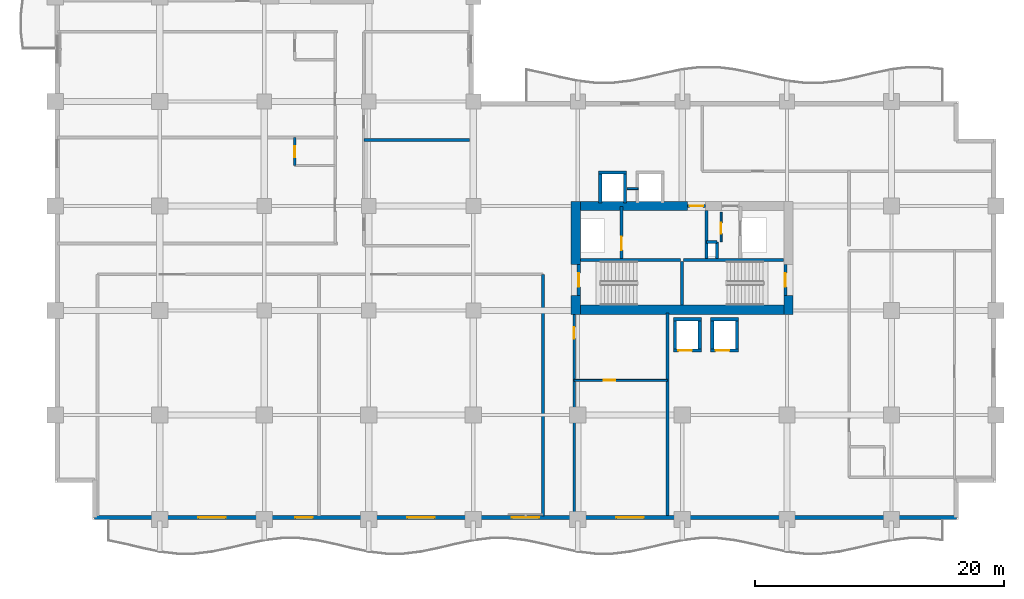
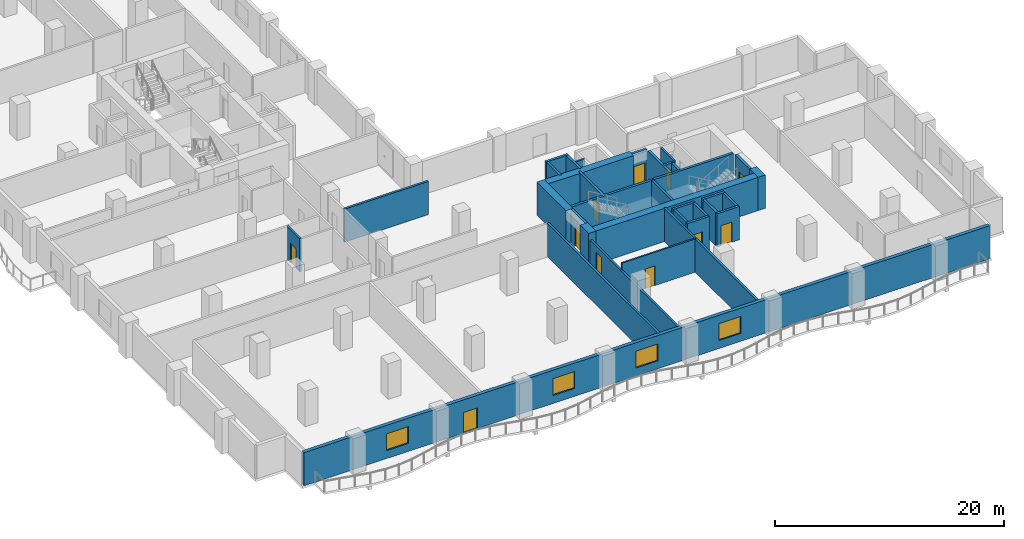
# One storey, part 4 of 15: 35 walls, 11 doors, 4 windows, 15 openings.
"""IFC4 building model written with IfcOpenShell, lengths in metres."""

from ifc_helpers import new_model, si_unit, direction, frame, frame_2d, origin, place, context, subcontext, project, spatial, rectangle, extrude, material, layer, layer_set, type_object, element, fill, save


model = new_model("IFC4")

# Units and contexts
model_context = context("Model", 3, precision=1e-05, world=origin(), true_north=direction((0.0, 1.0)))
body_context = subcontext(model_context, "Body", "Model", "MODEL_VIEW")
ifc_project = project(units=[si_unit("LENGTHUNIT", "METRE"), si_unit("AREAUNIT", "SQUARE_METRE"), si_unit("VOLUMEUNIT", "CUBIC_METRE"), si_unit("PLANEANGLEUNIT", "RADIAN"), si_unit("MASSUNIT", "GRAM", prefix="KILO")], contexts=[model_context])

# Site, building, storey
site_placement = place(None, origin())
site = spatial("IfcSite", under=ifc_project, at=site_placement, CompositionType="ELEMENT")
building_placement = place(site_placement, origin())
building = spatial("IfcBuilding", under=site, at=building_placement, Name="Koriwani Terraces Tower", CompositionType="ELEMENT")
storey_placement = place(building_placement, frame((0.0, 0.0, 138.0)))
storey = spatial("IfcBuildingStorey", under=building, at=storey_placement, Name="L33", CompositionType="ELEMENT", Elevation=138.0)

# Walls
ifc_material_1 = material(Name="Concrete C60/75", Category="concrete")
ifc_layer_1 = layer(ifc_material_1, 0.75, Name="Concrete C60/75")
ifc_layer_set_1 = layer_set([ifc_layer_1], Name="Concrete C60/75")
wall_type_1 = type_object("IfcWallType", Name="WALL_CORE_RC_750", PredefinedType="SHEAR", material=ifc_layer_set_1)
wall_1_placement = place(storey_placement, frame((41.824951171875, 16.5, 0.0), z_axis=(0.0, 0.0, 1.0), x_axis=(0.0, 1.0, 0.0)))
element("IfcWall", 1, at=wall_1_placement, inside=storey, type_object=wall_type_1, Name="L33 East Split Core Shear Wall W1", PredefinedType="SHEAR", context=body_context, shape_type="SweptSolid", body=[
    extrude(rectangle(XDim=1.5, YDim=0.75, at=frame_2d((0.75, 0.0))), origin(), (0.0, 0.0, 1.0), 3.550048828125),
])
wall_2_placement = place(storey_placement, frame((41.824951171875, 20.5, 0.0), z_axis=(0.0, 0.0, 1.0), x_axis=(0.0, 1.0, 0.0)))
element("IfcWall", 2, at=wall_2_placement, inside=storey, type_object=wall_type_1, Name="L33 East Split Core Shear Wall W2", PredefinedType="SHEAR", context=body_context, shape_type="SweptSolid", body=[
    extrude(rectangle(XDim=5.074951171875, YDim=0.75, at=frame_2d((2.53759765625, 0.0))), origin(), (0.0, 0.0, 1.0), 3.550048828125),
])
wall_3_placement = place(storey_placement, frame((58.925048828125, 16.5, 0.0), z_axis=(0.0, 0.0, 1.0), x_axis=(0.0, 1.0, 0.0)))
element("IfcWall", 3, at=wall_3_placement, inside=storey, type_object=wall_type_1, Name="L33 East Split Core Shear Wall E1", PredefinedType="SHEAR", context=body_context, shape_type="SweptSolid", body=[
    extrude(rectangle(XDim=1.5, YDim=0.75, at=frame_2d((0.75, 0.0))), origin(), (0.0, 0.0, 1.0), 3.550048828125),
])
wall_4_placement = place(storey_placement, frame((42.199951171875, 16.875, 0.0), z_axis=(0.0, 0.0, 1.0), x_axis=(1.0, 0.0, 0.0)))
element("IfcWall", 4, at=wall_4_placement, inside=storey, type_object=wall_type_1, Name="L33 East Split Core Shear Wall S1", PredefinedType="SHEAR", context=body_context, shape_type="SweptSolid", body=[
    extrude(rectangle(XDim=16.35009765625, YDim=0.75, at=frame_2d((8.175048828125, 0.0))), origin(), (0.0, 0.0, 1.0), 3.550048828125),
])
wall_5_placement = place(storey_placement, frame((42.199951171875, 25.199951171875, 0.0), z_axis=(0.0, 0.0, 1.0), x_axis=(1.0, 0.0, 0.0)))
element("IfcWall", 5, at=wall_5_placement, inside=storey, type_object=wall_type_1, Name="L33 East Split Core Shear Wall N1", PredefinedType="SHEAR", context=body_context, shape_type="SweptSolid", body=[
    extrude(rectangle(XDim=8.60009765625, YDim=0.75, at=frame_2d((4.300048828125, 0.0))), origin(), (0.0, 0.0, 1.0), 3.550048828125),
])

# Wall, opening, door
ifc_material_2 = material(Name="Autoclaved Cellular Concrete Blockwork", Category="masonry")
ifc_layer_2 = layer(ifc_material_2, 0.199951171875, Name="Autoclaved Cellular Concrete Blockwork")
ifc_layer_set_2 = layer_set([ifc_layer_2], Name="Autoclaved Cellular Concrete Blockwork")
wall_type_2 = type_object("IfcWallType", Name="WALL_CORRIDOR_200", PredefinedType="PARTITIONING", material=ifc_layer_set_2)
wall_6_placement = place(storey_placement, frame((41.699951171875, 0.35009765625, 0.0), z_axis=(0.0, 0.0, 1.0), x_axis=(0.0, 1.0, 0.0)))
wall_6 = element("IfcWall", 6, at=wall_6_placement, inside=storey, type_object=wall_type_2, Name="L33 Interior Wall WREC-EW-L33", PredefinedType="PARTITIONING", context=body_context, shape_type="SweptSolid", body=[
    extrude(rectangle(XDim=16.25, YDim=0.199951171875, at=frame_2d((8.125, 0.0))), origin(), (0.0, 0.0, 1.0), 2.800048828125),
])
opening_1_placement = place(wall_6_placement, frame((14.199951171875, 0.0, 0.0)))
opening_1 = element("IfcOpeningElement", 7, at=opening_1_placement, cuts=wall_6, Name="Opening D-06", PredefinedType="OPENING", context=body_context, shape_type="SweptSolid", body=[
    extrude(rectangle(XDim=0.919921875, YDim=2.10009765625, at=frame_2d((0.4599609375, 1.050048828125))), frame((0.0, 0.10986328125, 0.0), z_axis=(0.0, -1.0, 0.0), x_axis=(1.0, 0.0, 0.0)), (0.0, 0.0, 1.0), 0.219970703125),
])
ifc_material_3 = material(Name="Architectural Oak Fire Door", Category="wood")
door_type_1 = type_object("IfcDoorType", Name="DOOR_ROOM_INT_920X2100", OperationType="NOTDEFINED", PredefinedType="DOOR", material=ifc_material_3)
door_1_placement = place(opening_1_placement, origin())
door_1 = element("IfcDoor", 8, at=door_1_placement, inside=storey, type_object=door_type_1, Name="L33 Housekeeping and Linen Room Door", OperationType="SINGLE_SWING_LEFT", OverallHeight=2.10009765625, OverallWidth=0.919921875, PredefinedType="DOOR", context=body_context, shape_type="SweptSolid", body=[
    extrude(rectangle(XDim=0.919921875, YDim=2.10009765625, at=frame_2d((0.4599609375, 1.050048828125))), frame((0.0, 0.02490234375, 0.0), z_axis=(0.0, -1.0, 0.0), x_axis=(1.0, 0.0, 0.0)), (0.0, 0.0, 1.0), 0.050048828125),
])
fill(opening_1, door_1)

# Walls
ifc_layer_3 = layer(ifc_material_2, 0.219970703125, Name="Autoclaved Cellular Concrete Blockwork")
ifc_layer_set_3 = layer_set([ifc_layer_3], Name="Autoclaved Cellular Concrete Blockwork")
wall_type_3 = type_object("IfcWallType", Name="WALL_DEMISING_220", PredefinedType="PARTITIONING", material=ifc_layer_set_3)
wall_7_placement = place(storey_placement, frame((49.199951171875, 0.35009765625, 0.0), z_axis=(0.0, 0.0, 1.0), x_axis=(0.0, 1.0, 0.0)))
element("IfcWall", 9, at=wall_7_placement, inside=storey, type_object=wall_type_3, Name="L33 Interior Wall WREC-EE-L33", PredefinedType="PARTITIONING", context=body_context, shape_type="SweptSolid", body=[
    extrude(rectangle(XDim=16.25, YDim=0.219970703125, at=frame_2d((8.125, 0.0))), origin(), (0.0, 0.0, 1.0), 3.550048828125),
])
wall_8_placement = place(storey_placement, frame((24.800048828125, 30.5, 0.0), z_axis=(0.0, 0.0, 1.0), x_axis=(1.0, 0.0, 0.0)))
element("IfcWall", 10, at=wall_8_placement, inside=storey, type_object=wall_type_3, Name="L33 Interior Wall WIC2-M-L33", PredefinedType="PARTITIONING", context=body_context, shape_type="SweptSolid", body=[
    extrude(rectangle(XDim=8.5, YDim=0.219970703125, at=frame_2d((4.25, 0.0))), origin(), (0.0, 0.0, 1.0), 3.550048828125),
])
wall_9_placement = place(storey_placement, frame((39.199951171875, 0.300048828125, 0.0), z_axis=(0.0, 0.0, 1.0), x_axis=(0.0, 1.0, 0.0)))
element("IfcWall", 11, at=wall_9_placement, inside=storey, type_object=wall_type_3, Name="L33 Interior Wall WC2CFE-L33", PredefinedType="PARTITIONING", context=body_context, shape_type="SweptSolid", body=[
    extrude(rectangle(XDim=19.39990234375, YDim=0.219970703125, at=frame_2d((9.699951171875, 0.0))), origin(), (0.0, 0.0, 1.0), 3.550048828125),
])

# Wall, openings, door, windows
ifc_material_4 = material(Name="Concrete C50/60", Category="concrete")
ifc_layer_4 = layer(ifc_material_4, 0.35009765625, Name="Concrete C50/60")
ifc_layer_set_4 = layer_set([ifc_layer_4], Name="Concrete C50/60")
wall_type_4 = type_object("IfcWallType", Name="WALL_EXT_BRUTALIST_350", PredefinedType="STANDARD", material=ifc_layer_set_4)
wall_10_placement = place(storey_placement, frame((72.425048828125, 0.175048828125, 0.0), z_axis=(0.0, 0.0, 1.0), x_axis=(-1.0, 0.0, 0.0)))
wall_10 = element("IfcWall", 12, at=wall_10_placement, inside=storey, type_object=wall_type_4, Name="L33 Fair-Faced Brutalist Exterior Wall (S)", PredefinedType="STANDARD", context=body_context, shape_type="SweptSolid", body=[
    extrude(rectangle(XDim=69.25, YDim=0.35009765625, at=frame_2d((34.625, 0.0))), origin(), (0.0, 0.0, 1.0), 3.550048828125),
])
opening_2_placement = place(wall_10_placement, frame((51.72509765625, 0.0, 0.0)))
opening_2 = element("IfcOpeningElement", 13, at=opening_2_placement, cuts=wall_10, Name="Opening D-09", PredefinedType="OPENING", context=body_context, shape_type="SweptSolid", body=[
    extrude(rectangle(XDim=1.39990234375, YDim=2.199951171875, at=frame_2d((0.699951171875, 1.10009765625))), frame((0.0, 0.18505859375, 0.0), z_axis=(0.0, -1.0, 0.0), x_axis=(1.0, 0.0, 0.0)), (0.0, 0.0, 1.0), 0.3701171875),
])
opening_3_placement = place(wall_10_placement, frame((58.72509765625, 0.0, 0.85009765625)))
opening_3 = element("IfcOpeningElement", 14, at=opening_3_placement, cuts=wall_10, Name="Opening W-01", PredefinedType="OPENING", context=body_context, shape_type="SweptSolid", body=[
    extrude(rectangle(XDim=2.199951171875, YDim=1.800048828125, at=frame_2d((1.10009765625, 0.89990234375))), frame((0.0, 0.18505859375, 0.0), z_axis=(0.0, -1.0, 0.0), x_axis=(1.0, 0.0, 0.0)), (0.0, 0.0, 1.0), 0.3701171875),
])
opening_4_placement = place(wall_10_placement, frame((41.925048828125, 0.0, 0.85009765625)))
opening_4 = element("IfcOpeningElement", 15, at=opening_4_placement, cuts=wall_10, Name="Opening W-01", PredefinedType="OPENING", context=body_context, shape_type="SweptSolid", body=[
    extrude(rectangle(XDim=2.199951171875, YDim=1.800048828125, at=frame_2d((1.10009765625, 0.89990234375))), frame((0.0, 0.18505859375, 0.0), z_axis=(0.0, -1.0, 0.0), x_axis=(1.0, 0.0, 0.0)), (0.0, 0.0, 1.0), 0.3701171875),
])
opening_5_placement = place(wall_10_placement, frame((33.52490234375, 0.0, 0.85009765625)))
opening_5 = element("IfcOpeningElement", 16, at=opening_5_placement, cuts=wall_10, Name="Opening W-01", PredefinedType="OPENING", context=body_context, shape_type="SweptSolid", body=[
    extrude(rectangle(XDim=2.199951171875, YDim=1.800048828125, at=frame_2d((1.10009765625, 0.89990234375))), frame((0.0, 0.18505859375, 0.0), z_axis=(0.0, -1.0, 0.0), x_axis=(1.0, 0.0, 0.0)), (0.0, 0.0, 1.0), 0.3701171875),
])
opening_6_placement = place(wall_10_placement, frame((25.125, 0.0, 0.85009765625)))
opening_6 = element("IfcOpeningElement", 17, at=opening_6_placement, cuts=wall_10, Name="Opening W-01", PredefinedType="OPENING", context=body_context, shape_type="SweptSolid", body=[
    extrude(rectangle(XDim=2.199951171875, YDim=1.800048828125, at=frame_2d((1.10009765625, 0.89990234375))), frame((0.0, 0.18505859375, 0.0), z_axis=(0.0, -1.0, 0.0), x_axis=(1.0, 0.0, 0.0)), (0.0, 0.0, 1.0), 0.3701171875),
])
ifc_material_5 = material(Name="Anodised Bronze Aluminium", Category="aluminium")
door_type_2 = type_object("IfcDoorType", Name="DOOR_BALCONY_GLAZED_1400X2200", OperationType="NOTDEFINED", PredefinedType="DOOR", material=ifc_material_5)
door_2_placement = place(opening_2_placement, origin())
door_2 = element("IfcDoor", 18, at=door_2_placement, inside=storey, type_object=door_type_2, Name="L33 South Balcony Glazed Door", OperationType="SINGLE_SWING_LEFT", OverallHeight=2.199951171875, OverallWidth=1.39990234375, PredefinedType="DOOR", context=body_context, shape_type="SweptSolid", body=[
    extrude(rectangle(XDim=1.39990234375, YDim=2.199951171875, at=frame_2d((0.699951171875, 1.10009765625))), frame((0.0, 0.02490234375, 0.0), z_axis=(0.0, -1.0, 0.0), x_axis=(1.0, 0.0, 0.0)), (0.0, 0.0, 1.0), 0.050048828125),
])
fill(opening_2, door_2)
ifc_material_6 = material(Name="Tempered Laminated Low-E Glass", Category="glass")
window_type = type_object("IfcWindowType", Name="WIN_HOTEL_STD_2200X1800", PartitioningType="DOUBLE_PANEL_VERTICAL", PredefinedType="WINDOW", material=ifc_material_6)
window_1_placement = place(opening_3_placement, origin())
window_1 = element("IfcWindow", 19, at=window_1_placement, inside=storey, type_object=window_type, Name="L33 Exterior Window (S-3)", OverallHeight=1.800048828125, OverallWidth=2.199951171875, PartitioningType="SINGLE_PANEL", PredefinedType="WINDOW", context=body_context, shape_type="SweptSolid", body=[
    extrude(rectangle(XDim=2.199951171875, YDim=1.800048828125, at=frame_2d((1.10009765625, 0.89990234375))), frame((0.0, 0.030029296875, 0.0), z_axis=(0.0, -1.0, 0.0), x_axis=(1.0, 0.0, 0.0)), (0.0, 0.0, 1.0), 0.06005859375),
])
fill(opening_3, window_1)
window_2_placement = place(opening_4_placement, origin())
window_2 = element("IfcWindow", 20, at=window_2_placement, inside=storey, type_object=window_type, Name="L33 Exterior Window (S-9)", OverallHeight=1.800048828125, OverallWidth=2.199951171875, PartitioningType="SINGLE_PANEL", PredefinedType="WINDOW", context=body_context, shape_type="SweptSolid", body=[
    extrude(rectangle(XDim=2.199951171875, YDim=1.800048828125, at=frame_2d((1.10009765625, 0.89990234375))), frame((0.0, 0.030029296875, 0.0), z_axis=(0.0, -1.0, 0.0), x_axis=(1.0, 0.0, 0.0)), (0.0, 0.0, 1.0), 0.06005859375),
])
fill(opening_4, window_2)
window_3_placement = place(opening_5_placement, origin())
window_3 = element("IfcWindow", 21, at=window_3_placement, inside=storey, type_object=window_type, Name="L33 Exterior Window (S-12)", OverallHeight=1.800048828125, OverallWidth=2.199951171875, PartitioningType="SINGLE_PANEL", PredefinedType="WINDOW", context=body_context, shape_type="SweptSolid", body=[
    extrude(rectangle(XDim=2.199951171875, YDim=1.800048828125, at=frame_2d((1.10009765625, 0.89990234375))), frame((0.0, 0.030029296875, 0.0), z_axis=(0.0, -1.0, 0.0), x_axis=(1.0, 0.0, 0.0)), (0.0, 0.0, 1.0), 0.06005859375),
])
fill(opening_5, window_3)
window_4_placement = place(opening_6_placement, origin())
window_4 = element("IfcWindow", 22, at=window_4_placement, inside=storey, type_object=window_type, Name="L33 Exterior Window (S-15)", OverallHeight=1.800048828125, OverallWidth=2.199951171875, PartitioningType="SINGLE_PANEL", PredefinedType="WINDOW", context=body_context, shape_type="SweptSolid", body=[
    extrude(rectangle(XDim=2.199951171875, YDim=1.800048828125, at=frame_2d((1.10009765625, 0.89990234375))), frame((0.0, 0.030029296875, 0.0), z_axis=(0.0, -1.0, 0.0), x_axis=(1.0, 0.0, 0.0)), (0.0, 0.0, 1.0), 0.06005859375),
])
fill(opening_6, window_4)

# Wall, opening, door
ifc_material_7 = material(Name="Fire-Rated Acoustic Gypsum Partition", Category="masonry")
ifc_layer_5 = layer(ifc_material_7, 0.179931640625, Name="Fire-Rated Acoustic Gypsum Partition")
ifc_layer_set_5 = layer_set([ifc_layer_5], Name="Fire-Rated Acoustic Gypsum Partition")
wall_type_5 = type_object("IfcWallType", Name="WALL_PLUMBING_180", PredefinedType="PLUMBINGWALL", material=ifc_layer_set_5)
wall_11_placement = place(storey_placement, frame((19.25, 28.449951171875, 0.0), z_axis=(0.0, 0.0, 1.0), x_axis=(0.0, 1.0, 0.0)))
wall_11 = element("IfcWall", 23, at=wall_11_placement, inside=storey, type_object=wall_type_5, Name="L33 Interior Wall WBTH1-L33-NW-0", PredefinedType="PLUMBINGWALL", context=body_context, shape_type="SweptSolid", body=[
    extrude(rectangle(XDim=2.25, YDim=0.179931640625, at=frame_2d((1.125, 0.0))), origin(), (0.0, 0.0, 1.0), 3.550048828125),
])
opening_7_placement = place(wall_11_placement, frame((0.675048828125, 0.0, 0.0)))
opening_7 = element("IfcOpeningElement", 24, at=opening_7_placement, cuts=wall_11, Name="Opening D-07", PredefinedType="OPENING", context=body_context, shape_type="SweptSolid", body=[
    extrude(rectangle(XDim=0.89990234375, YDim=2.10009765625, at=frame_2d((0.449951171875, 1.050048828125))), frame((0.0, 0.10009765625, 0.0), z_axis=(0.0, -1.0, 0.0), x_axis=(1.0, 0.0, 0.0)), (0.0, 0.0, 1.0), 0.199951171875),
])
door_type_3 = type_object("IfcDoorType", Name="DOOR_BATH_INT_900X2100", OperationType="NOTDEFINED", PredefinedType="DOOR", material=ifc_material_3)
door_3_placement = place(opening_7_placement, origin())
door_3 = element("IfcDoor", 25, at=door_3_placement, inside=storey, type_object=door_type_3, Name="En-Suite Bathroom 33NW1 Door", OperationType="SINGLE_SWING_RIGHT", OverallHeight=2.10009765625, OverallWidth=0.89990234375, PredefinedType="DOOR", context=body_context, shape_type="SweptSolid", body=[
    extrude(rectangle(XDim=0.89990234375, YDim=2.10009765625, at=frame_2d((0.449951171875, 1.050048828125))), frame((0.0, 0.02490234375, 0.0), z_axis=(0.0, -1.0, 0.0), x_axis=(1.0, 0.0, 0.0)), (0.0, 0.0, 1.0), 0.050048828125),
])
fill(opening_7, door_3)

# Walls
ifc_material_8 = material(Name="Concrete C40/50", Category="concrete")
ifc_layer_6 = layer(ifc_material_8, 0.25, Name="Concrete C40/50")
ifc_layer_set_6 = layer_set([ifc_layer_6], Name="Concrete C40/50")
wall_type_6 = type_object("IfcWallType", Name="WALL_SHAFT_RATED_250", PredefinedType="SOLIDWALL", material=ifc_layer_set_6)
for number, where, z_axis, x_axis, name in (
    (26, (42.199951171875, 20.875, 0.0), (0.0, 0.0, 1.0), (1.0, 0.0, 0.0), "L33 East Split Core Web Wall MID1"),
    (27, (50.5, 20.875, 0.0), (0.0, 0.0, 1.0), (1.0, 0.0, 0.0), "L33 East Split Core Web Wall MID2"),
):
    element("IfcWall", number, at=place(storey_placement, frame(where, z_axis=z_axis, x_axis=x_axis)), inside=storey, type_object=wall_type_6, Name=name, PredefinedType="SOLIDWALL", context=body_context, shape_type="SweptSolid", body=[
        extrude(rectangle(XDim=8.050048828125, YDim=0.25, at=frame_2d((4.02490234375, 0.0))), origin(), (0.0, 0.0, 1.0), 3.550048828125),
    ])
wall_12_placement = place(storey_placement, frame((50.375, 17.25, 0.0), z_axis=(0.0, 0.0, 1.0), x_axis=(0.0, 1.0, 0.0)))
element("IfcWall", 28, at=wall_12_placement, inside=storey, type_object=wall_type_6, Name="L33 East Split Core Stair Dividing Wall", PredefinedType="SOLIDWALL", context=body_context, shape_type="SweptSolid", body=[
    extrude(rectangle(XDim=3.5, YDim=0.25, at=frame_2d((1.75, 0.0))), origin(), (0.0, 0.0, 1.0), 3.550048828125),
])

# Wall, opening, door
wall_13_placement = place(storey_placement, frame((42.074951171875, 18.0, 0.0), z_axis=(0.0, 0.0, 1.0), x_axis=(0.0, 1.0, 0.0)))
wall_13 = element("IfcWall", 29, at=wall_13_placement, inside=storey, type_object=wall_type_6, Name="L33 Interior Wall WIN-CE-L33-STW", PredefinedType="SOLIDWALL", context=body_context, shape_type="SweptSolid", body=[
    extrude(rectangle(XDim=2.5, YDim=0.25, at=frame_2d((1.25, 0.0))), origin(), (0.0, 0.0, 1.0), 3.550048828125),
])
opening_8_placement = place(wall_13_placement, frame((0.699951171875, 0.0, 0.0)))
opening_8 = element("IfcOpeningElement", 30, at=opening_8_placement, cuts=wall_13, Name="Opening D-03", PredefinedType="OPENING", context=body_context, shape_type="SweptSolid", body=[
    extrude(rectangle(XDim=1.10009765625, YDim=2.14990234375, at=frame_2d((0.550048828125, 1.074951171875))), frame((0.0, 0.135009765625, 0.0), z_axis=(0.0, -1.0, 0.0), x_axis=(1.0, 0.0, 0.0)), (0.0, 0.0, 1.0), 0.27001953125),
])
ifc_material_9 = material(Name="Steel ASTM A572 Grade 50", Category="steel")
door_type_4 = type_object("IfcDoorType", Name="DOOR_STAIR_FIRE_1100X2150", OperationType="NOTDEFINED", PredefinedType="DOOR", material=ifc_material_9)
door_4_placement = place(opening_8_placement, origin())
door_4 = element("IfcDoor", 31, at=door_4_placement, inside=storey, type_object=door_type_4, Name="L33 Exit Stair ST-E1 Door", OperationType="SINGLE_SWING_RIGHT", OverallHeight=2.14990234375, OverallWidth=1.10009765625, PredefinedType="DOOR", context=body_context, shape_type="SweptSolid", body=[
    extrude(rectangle(XDim=1.10009765625, YDim=2.14990234375, at=frame_2d((0.550048828125, 1.074951171875))), frame((0.0, 0.02490234375, 0.0), z_axis=(0.0, -1.0, 0.0), x_axis=(1.0, 0.0, 0.0)), (0.0, 0.0, 1.0), 0.050048828125),
])
fill(opening_8, door_4)

wall_14_placement = place(storey_placement, frame((58.675048828125, 18.0, 0.0), z_axis=(0.0, 0.0, 1.0), x_axis=(0.0, 1.0, 0.0)))
wall_14 = element("IfcWall", 32, at=wall_14_placement, inside=storey, type_object=wall_type_6, Name="L33 Interior Wall WIN-CE-L33-STE", PredefinedType="SOLIDWALL", context=body_context, shape_type="SweptSolid", body=[
    extrude(rectangle(XDim=2.5, YDim=0.25, at=frame_2d((1.25, 0.0))), origin(), (0.0, 0.0, 1.0), 3.550048828125),
])
opening_9_placement = place(wall_14_placement, frame((0.699951171875, 0.0, 0.0)))
opening_9 = element("IfcOpeningElement", 33, at=opening_9_placement, cuts=wall_14, Name="Opening D-03", PredefinedType="OPENING", context=body_context, shape_type="SweptSolid", body=[
    extrude(rectangle(XDim=1.10009765625, YDim=2.14990234375, at=frame_2d((0.550048828125, 1.074951171875))), frame((0.0, 0.135009765625, 0.0), z_axis=(0.0, -1.0, 0.0), x_axis=(1.0, 0.0, 0.0)), (0.0, 0.0, 1.0), 0.27001953125),
])
door_5_placement = place(opening_9_placement, origin())
door_5 = element("IfcDoor", 34, at=door_5_placement, inside=storey, type_object=door_type_4, Name="L33 Exit Stair ST-E2 Door", OperationType="SINGLE_SWING_LEFT", OverallHeight=2.14990234375, OverallWidth=1.10009765625, PredefinedType="DOOR", context=body_context, shape_type="SweptSolid", body=[
    extrude(rectangle(XDim=1.10009765625, YDim=2.14990234375, at=frame_2d((0.550048828125, 1.074951171875))), frame((0.0, 0.02490234375, 0.0), z_axis=(0.0, -1.0, 0.0), x_axis=(1.0, 0.0, 0.0)), (0.0, 0.0, 1.0), 0.050048828125),
])
fill(opening_9, door_5)

wall_15_placement = place(storey_placement, frame((45.5, 21.0, 0.0), z_axis=(0.0, 0.0, 1.0), x_axis=(0.0, 1.0, 0.0)))
wall_15 = element("IfcWall", 35, at=wall_15_placement, inside=storey, type_object=wall_type_6, Name="L33 Interior Wall WIN-CE-L33-FE", PredefinedType="SOLIDWALL", context=body_context, shape_type="SweptSolid", body=[
    extrude(rectangle(XDim=4.14990234375, YDim=0.25, at=frame_2d((2.074951171875, 0.0))), origin(), (0.0, 0.0, 1.0), 3.550048828125),
])
opening_10_placement = place(wall_15_placement, frame((0.64990234375, 0.0, 0.0)))
opening_10 = element("IfcOpeningElement", 36, at=opening_10_placement, cuts=wall_15, Name="Opening LD-01", PredefinedType="OPENING", context=body_context, shape_type="SweptSolid", body=[
    extrude(rectangle(XDim=1.10009765625, YDim=2.14990234375, at=frame_2d((0.550048828125, 1.074951171875))), frame((0.0, 0.135009765625, 0.0), z_axis=(0.0, -1.0, 0.0), x_axis=(1.0, 0.0, 0.0)), (0.0, 0.0, 1.0), 0.27001953125),
])
door_type_5 = type_object("IfcDoorType", Name="DOOR_LIFT_LANDING_1100X2200", OperationType="NOTDEFINED", PredefinedType="DOOR", material=ifc_material_9)
door_6_placement = place(opening_10_placement, origin())
door_6 = element("IfcDoor", 37, at=door_6_placement, inside=storey, type_object=door_type_5, Name="L33 Firefighting Lift FE-02 Landing Door", OperationType="SLIDING_TO_LEFT", OverallHeight=2.14990234375, OverallWidth=1.10009765625, PredefinedType="DOOR", context=body_context, shape_type="SweptSolid", body=[
    extrude(rectangle(XDim=1.10009765625, YDim=2.14990234375, at=frame_2d((0.550048828125, 1.074951171875))), frame((0.0, 0.02490234375, 0.0), z_axis=(0.0, -1.0, 0.0), x_axis=(1.0, 0.0, 0.0)), (0.0, 0.0, 1.0), 0.050048828125),
])
fill(opening_10, door_6)

wall_16_placement = place(storey_placement, frame((50.800048828125, 25.199951171875, 0.0), z_axis=(0.0, 0.0, 1.0), x_axis=(1.0, 0.0, 0.0)))
wall_16 = element("IfcWall", 38, at=wall_16_placement, inside=storey, type_object=wall_type_6, Name="L33 Interior Wall WIN-CE-L33-NP", PredefinedType="SOLIDWALL", context=body_context, shape_type="SweptSolid", body=[
    extrude(rectangle(XDim=1.47998046875, YDim=0.25, at=frame_2d((0.739990234375, 0.0))), origin(), (0.0, 0.0, 1.0), 3.550048828125),
])
opening_11_placement = place(wall_16_placement, frame((0.179931640625, 0.0, 0.0)))
opening_11 = element("IfcOpeningElement", 39, at=opening_11_placement, cuts=wall_16, Name="Opening D-03", PredefinedType="OPENING", context=body_context, shape_type="SweptSolid", body=[
    extrude(rectangle(XDim=1.10009765625, YDim=2.14990234375, at=frame_2d((0.550048828125, 1.074951171875))), frame((0.0, 0.135009765625, 0.0), z_axis=(0.0, -1.0, 0.0), x_axis=(1.0, 0.0, 0.0)), (0.0, 0.0, 1.0), 0.27001953125),
])
door_7_placement = place(opening_11_placement, origin())
door_7 = element("IfcDoor", 40, at=door_7_placement, inside=storey, type_object=door_type_4, Name="L33 East Firefighting Lobby Door", OperationType="SINGLE_SWING_RIGHT", OverallHeight=2.14990234375, OverallWidth=1.10009765625, PredefinedType="DOOR", context=body_context, shape_type="SweptSolid", body=[
    extrude(rectangle(XDim=1.10009765625, YDim=2.14990234375, at=frame_2d((0.550048828125, 1.074951171875))), frame((0.0, 0.02490234375, 0.0), z_axis=(0.0, -1.0, 0.0), x_axis=(1.0, 0.0, 0.0)), (0.0, 0.0, 1.0), 0.050048828125),
])
fill(opening_11, door_7)

# Walls
wall_17_placement = place(storey_placement, frame((52.340087890625, 21.0, 0.0), z_axis=(0.0, 0.0, 1.0), x_axis=(0.0, 1.0, 0.0)))
element("IfcWall", 41, at=wall_17_placement, inside=storey, type_object=wall_type_6, Name="L33 Interior Wall WIN-CE-L33-FFE", PredefinedType="SOLIDWALL", context=body_context, shape_type="SweptSolid", body=[
    extrude(rectangle(XDim=3.824951171875, YDim=0.25, at=frame_2d((1.91259765625, 0.0))), origin(), (0.0, 0.0, 1.0), 3.550048828125),
])
wall_18_placement = place(storey_placement, frame((53.199951171875, 21.0, 0.0), z_axis=(0.0, 0.0, 1.0), x_axis=(0.0, 1.0, 0.0)))
element("IfcWall", 42, at=wall_18_placement, inside=storey, type_object=wall_type_6, Name="L33 Interior Wall WIN-CE-L33-RS1", PredefinedType="SOLIDWALL", context=body_context, shape_type="SweptSolid", body=[
    extrude(rectangle(XDim=1.300048828125, YDim=0.25, at=frame_2d((0.64990234375, 0.0))), origin(), (0.0, 0.0, 1.0), 3.550048828125),
])
wall_19_placement = place(storey_placement, frame((52.360107421875, 22.300048828125, 0.0), z_axis=(0.0, 0.0, 1.0), x_axis=(1.0, 0.0, 0.0)))
element("IfcWall", 43, at=wall_19_placement, inside=storey, type_object=wall_type_6, Name="L33 Interior Wall WIN-CE-L33-RS2", PredefinedType="SOLIDWALL", context=body_context, shape_type="SweptSolid", body=[
    extrude(rectangle(XDim=0.83984375, YDim=0.25, at=frame_2d((0.419921875, 0.0))), origin(), (0.0, 0.0, 1.0), 3.550048828125),
])

# Wall, opening, door
wall_20_placement = place(storey_placement, frame((49.675048828125, 13.60009765625, 0.0), z_axis=(0.0, 0.0, 1.0), x_axis=(1.0, 0.0, 0.0)))
wall_20 = element("IfcWall", 44, at=wall_20_placement, inside=storey, type_object=wall_type_6, Name="L33 Interior Wall WIN-LF-PE-M3-L33-F", PredefinedType="SOLIDWALL", context=body_context, shape_type="SweptSolid", body=[
    extrude(rectangle(XDim=2.25, YDim=0.25, at=frame_2d((1.125, 0.0))), origin(), (0.0, 0.0, 1.0), 3.550048828125),
])
opening_12_placement = place(wall_20_placement, frame((0.39990234375, 0.0, 0.0)))
opening_12 = element("IfcOpeningElement", 45, at=opening_12_placement, cuts=wall_20, Name="Opening LD-01", PredefinedType="OPENING", context=body_context, shape_type="SweptSolid", body=[
    extrude(rectangle(XDim=1.10009765625, YDim=2.14990234375, at=frame_2d((0.550048828125, 1.074951171875))), frame((0.0, 0.135009765625, 0.0), z_axis=(0.0, -1.0, 0.0), x_axis=(1.0, 0.0, 0.0)), (0.0, 0.0, 1.0), 0.27001953125),
])
door_8_placement = place(opening_12_placement, origin())
door_8 = element("IfcDoor", 46, at=door_8_placement, inside=storey, type_object=door_type_5, Name="L33 Passenger Lift PE-M3 Landing Door", OperationType="SLIDING_TO_LEFT", OverallHeight=2.14990234375, OverallWidth=1.10009765625, PredefinedType="DOOR", context=body_context, shape_type="SweptSolid", body=[
    extrude(rectangle(XDim=1.10009765625, YDim=2.14990234375, at=frame_2d((0.550048828125, 1.074951171875))), frame((0.0, 0.02490234375, 0.0), z_axis=(0.0, -1.0, 0.0), x_axis=(1.0, 0.0, 0.0)), (0.0, 0.0, 1.0), 0.050048828125),
])
fill(opening_12, door_8)

# Walls
for number, where, z_axis, x_axis, name in (
    (47, (49.675048828125, 16.10009765625, 0.0), (0.0, 0.0, 1.0), (1.0, 0.0, 0.0), "L33 Interior Wall WIN-LF-PE-M3-L33-B"),
    (48, (49.800048828125, 13.72509765625, 0.0), (0.0, 0.0, 1.0), (0.0, 1.0, 0.0), "L33 Interior Wall WIN-LF-PE-M3-L33-W"),
    (49, (51.800048828125, 13.72509765625, 0.0), (0.0, 0.0, 1.0), (0.0, 1.0, 0.0), "L33 Interior Wall WIN-LF-PE-M3-L33-E"),
):
    element("IfcWall", number, at=place(storey_placement, frame(where, z_axis=z_axis, x_axis=x_axis)), inside=storey, type_object=wall_type_6, Name=name, PredefinedType="SOLIDWALL", context=body_context, shape_type="SweptSolid", body=[
        extrude(rectangle(XDim=2.25, YDim=0.25, at=frame_2d((1.125, 0.0))), origin(), (0.0, 0.0, 1.0), 3.550048828125),
    ])

# Wall, opening, door
wall_21_placement = place(storey_placement, frame((52.675048828125, 13.60009765625, 0.0), z_axis=(0.0, 0.0, 1.0), x_axis=(1.0, 0.0, 0.0)))
wall_21 = element("IfcWall", 50, at=wall_21_placement, inside=storey, type_object=wall_type_6, Name="L33 Interior Wall WIN-LF-PE-M4-L33-F", PredefinedType="SOLIDWALL", context=body_context, shape_type="SweptSolid", body=[
    extrude(rectangle(XDim=2.25, YDim=0.25, at=frame_2d((1.125, 0.0))), origin(), (0.0, 0.0, 1.0), 3.550048828125),
])
opening_13_placement = place(wall_21_placement, frame((0.39990234375, 0.0, 0.0)))
opening_13 = element("IfcOpeningElement", 51, at=opening_13_placement, cuts=wall_21, Name="Opening LD-01", PredefinedType="OPENING", context=body_context, shape_type="SweptSolid", body=[
    extrude(rectangle(XDim=1.10009765625, YDim=2.14990234375, at=frame_2d((0.550048828125, 1.074951171875))), frame((0.0, 0.135009765625, 0.0), z_axis=(0.0, -1.0, 0.0), x_axis=(1.0, 0.0, 0.0)), (0.0, 0.0, 1.0), 0.27001953125),
])
door_9_placement = place(opening_13_placement, origin())
door_9 = element("IfcDoor", 52, at=door_9_placement, inside=storey, type_object=door_type_5, Name="L33 Passenger Lift PE-M4 Landing Door", OperationType="SLIDING_TO_LEFT", OverallHeight=2.14990234375, OverallWidth=1.10009765625, PredefinedType="DOOR", context=body_context, shape_type="SweptSolid", body=[
    extrude(rectangle(XDim=1.10009765625, YDim=2.14990234375, at=frame_2d((0.550048828125, 1.074951171875))), frame((0.0, 0.02490234375, 0.0), z_axis=(0.0, -1.0, 0.0), x_axis=(1.0, 0.0, 0.0)), (0.0, 0.0, 1.0), 0.050048828125),
])
fill(opening_13, door_9)

# Walls
for number, where, z_axis, x_axis, name in (
    (53, (52.675048828125, 16.10009765625, 0.0), (0.0, 0.0, 1.0), (1.0, 0.0, 0.0), "L33 Interior Wall WIN-LF-PE-M4-L33-B"),
    (54, (52.800048828125, 13.72509765625, 0.0), (0.0, 0.0, 1.0), (0.0, 1.0, 0.0), "L33 Interior Wall WIN-LF-PE-M4-L33-W"),
    (55, (54.800048828125, 13.72509765625, 0.0), (0.0, 0.0, 1.0), (0.0, 1.0, 0.0), "L33 Interior Wall WIN-LF-PE-M4-L33-E"),
    (56, (43.675048828125, 27.89990234375, 0.0), (0.0, 0.0, 1.0), (1.0, 0.0, 0.0), "L33 Interior Wall WIN-LF-PE-H3-L33-F"),
):
    element("IfcWall", number, at=place(storey_placement, frame(where, z_axis=z_axis, x_axis=x_axis)), inside=storey, type_object=wall_type_6, Name=name, PredefinedType="SOLIDWALL", context=body_context, shape_type="SweptSolid", body=[
        extrude(rectangle(XDim=2.25, YDim=0.25, at=frame_2d((1.125, 0.0))), origin(), (0.0, 0.0, 1.0), 3.550048828125),
    ])
for number, where, z_axis, x_axis, name in (
    (57, (43.800048828125, 25.449951171875, 0.0), (0.0, 0.0, 1.0), (0.0, 1.0, 0.0), "L33 Interior Wall WIN-LF-PE-H3-L33-W"),
    (58, (45.800048828125, 25.449951171875, 0.0), (0.0, 0.0, 1.0), (0.0, 1.0, 0.0), "L33 Interior Wall WIN-LF-PE-H3-L33-E"),
):
    element("IfcWall", number, at=place(storey_placement, frame(where, z_axis=z_axis, x_axis=x_axis)), inside=storey, type_object=wall_type_6, Name=name, PredefinedType="SOLIDWALL", context=body_context, shape_type="SweptSolid", body=[
        extrude(rectangle(XDim=2.324951171875, YDim=0.25, at=frame_2d((1.16259765625, 0.0))), origin(), (0.0, 0.0, 1.0), 3.550048828125),
    ])

# Wall, opening, door
ifc_layer_7 = layer(ifc_material_7, 0.159912109375, Name="Fire-Rated Acoustic Gypsum Partition")
ifc_layer_set_7 = layer_set([ifc_layer_7], Name="Fire-Rated Acoustic Gypsum Partition")
wall_type_7 = type_object("IfcWallType", Name="WALL_SUITE_160", PredefinedType="PARTITIONING", material=ifc_layer_set_7)
wall_22_placement = place(storey_placement, frame((53.52001953125, 22.320068359375, 0.0), z_axis=(0.0, 0.0, 1.0), x_axis=(0.0, 1.0, 0.0)))
wall_22 = element("IfcWall", 59, at=wall_22_placement, inside=storey, type_object=wall_type_7, Name="L33 Interior Wall WIN-CE-L33-SV0", PredefinedType="PARTITIONING", context=body_context, shape_type="SweptSolid", body=[
    extrude(rectangle(XDim=2.39990234375, YDim=0.159912109375, at=frame_2d((1.199951171875, 0.0))), origin(), (0.0, 0.0, 1.0), 3.550048828125),
])
opening_14_placement = place(wall_22_placement, frame((0.64990234375, 0.0, 0.0)))
opening_14 = element("IfcOpeningElement", 60, at=opening_14_placement, cuts=wall_22, Name="Opening D-07", PredefinedType="OPENING", context=body_context, shape_type="SweptSolid", body=[
    extrude(rectangle(XDim=0.89990234375, YDim=2.10009765625, at=frame_2d((0.449951171875, 1.050048828125))), frame((0.0, 0.08984375, 0.0), z_axis=(0.0, -1.0, 0.0), x_axis=(1.0, 0.0, 0.0)), (0.0, 0.0, 1.0), 0.179931640625),
])
door_10_placement = place(opening_14_placement, origin())
door_10 = element("IfcDoor", 61, at=door_10_placement, inside=storey, type_object=door_type_3, Name="L33 East Electrical Switch Room Door", OperationType="SINGLE_SWING_RIGHT", OverallHeight=2.10009765625, OverallWidth=0.89990234375, PredefinedType="DOOR", context=body_context, shape_type="SweptSolid", body=[
    extrude(rectangle(XDim=0.89990234375, YDim=2.10009765625, at=frame_2d((0.449951171875, 1.050048828125))), frame((0.0, 0.02490234375, 0.0), z_axis=(0.0, -1.0, 0.0), x_axis=(1.0, 0.0, 0.0)), (0.0, 0.0, 1.0), 0.050048828125),
])
fill(opening_14, door_10)

# Wall
wall_23_placement = place(storey_placement, frame((45.9599609375, 26.60009765625, 0.0), z_axis=(0.0, 0.0, 1.0), x_axis=(1.0, 0.0, 0.0)))
element("IfcWall", 62, at=wall_23_placement, inside=storey, type_object=wall_type_7, Name="L33 Interior Wall WIN-LF-PEH34-MID-L33", PredefinedType="PARTITIONING", context=body_context, shape_type="SweptSolid", body=[
    extrude(rectangle(XDim=0.880126953125, YDim=0.159912109375, at=frame_2d((0.43994140625, 0.0))), origin(), (0.0, 0.0, 1.0), 3.550048828125),
])

# Wall, opening, door
wall_24_placement = place(storey_placement, frame((41.699951171875, 11.199951171875, 0.0), z_axis=(0.0, 0.0, 1.0), x_axis=(1.0, 0.0, 0.0)))
wall_24 = element("IfcWall", 63, at=wall_24_placement, inside=storey, type_object=wall_type_7, Name="L33 Interior Wall WREC-EM-L33", PredefinedType="PARTITIONING", context=body_context, shape_type="SweptSolid", body=[
    extrude(rectangle(XDim=7.5, YDim=0.159912109375, at=frame_2d((3.75, 0.0))), origin(), (0.0, 0.0, 1.0), 3.550048828125),
])
opening_15_placement = place(wall_24_placement, frame((2.39990234375, 0.0, 0.0)))
opening_15 = element("IfcOpeningElement", 64, at=opening_15_placement, cuts=wall_24, Name="Opening D-06", PredefinedType="OPENING", context=body_context, shape_type="SweptSolid", body=[
    extrude(rectangle(XDim=0.919921875, YDim=2.10009765625, at=frame_2d((0.4599609375, 1.050048828125))), frame((0.0, 0.08984375, 0.0), z_axis=(0.0, -1.0, 0.0), x_axis=(1.0, 0.0, 0.0)), (0.0, 0.0, 1.0), 0.179931640625),
])
door_11_placement = place(opening_15_placement, origin())
door_11 = element("IfcDoor", 65, at=door_11_placement, inside=storey, type_object=door_type_1, Name="L33 Floor Study Lounge Door", OperationType="SINGLE_SWING_RIGHT", OverallHeight=2.10009765625, OverallWidth=0.919921875, PredefinedType="DOOR", context=body_context, shape_type="SweptSolid", body=[
    extrude(rectangle(XDim=0.919921875, YDim=2.10009765625, at=frame_2d((0.4599609375, 1.050048828125))), frame((0.0, 0.02490234375, 0.0), z_axis=(0.0, -1.0, 0.0), x_axis=(1.0, 0.0, 0.0)), (0.0, 0.0, 1.0), 0.050048828125),
])
fill(opening_15, door_11)

save(model, "model.ifc")
